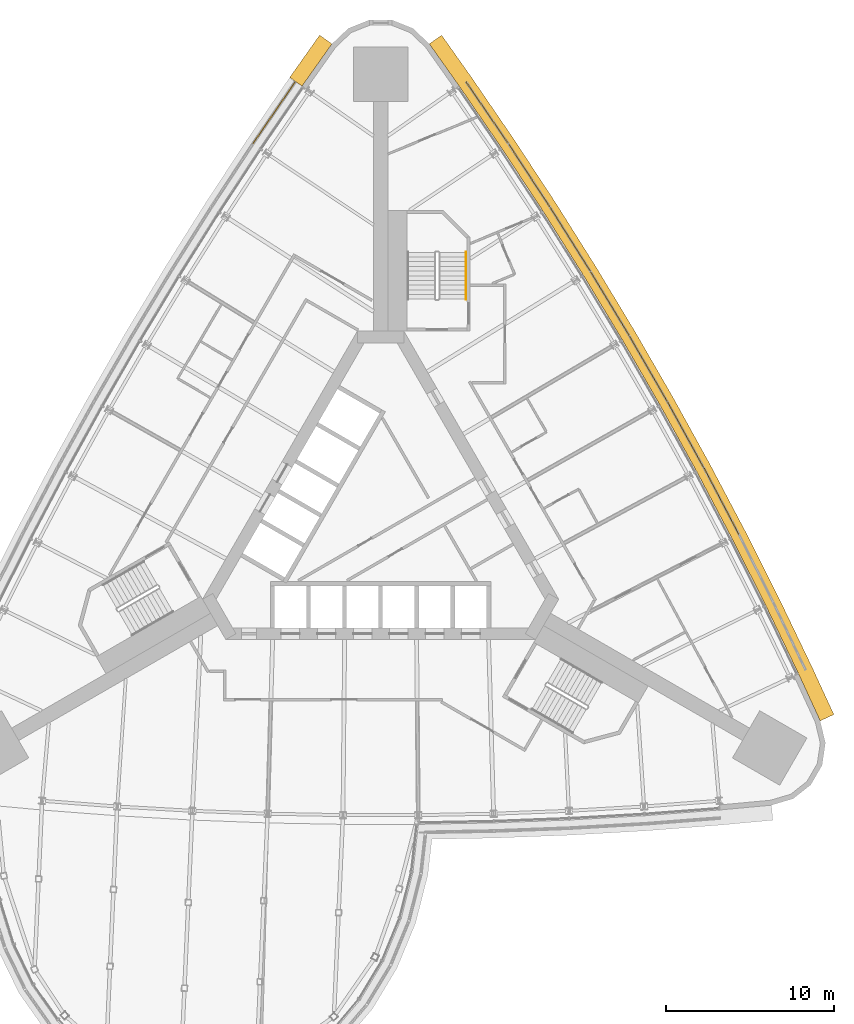
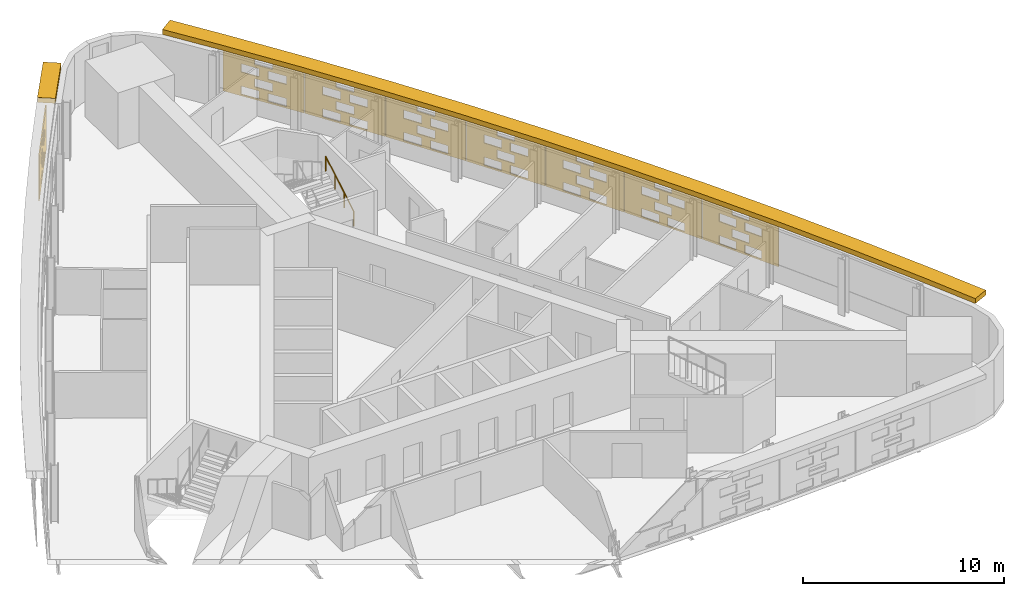
# One storey, part 16 of 16: 10 shading devices, 1 railing.
"""IFC4 building model written with IfcOpenShell, lengths in metres."""

import ifcopenshell
import ifcopenshell.guid

model = None  # the IFC model being written
_history = None  # IfcOwnerHistory: only IFC2X3 demands one
_inside = {}  # id of a spatial element -> (the spatial element, [elements in it])
_under = {}  # id of a project, library or spatial element -> (it, [spatial elements below it])
_declared = {}  # id of a project -> (the project, [libraries it declares])
_typed = {}  # id of a type object -> (the type object, [elements of that type])
_made_of = {}  # id of a material, layer set ... -> (it, [elements and type objects made of it])


def new_model(schema):
    """Start an empty IFC model of exactly this schema.

    Asked for "IFC4X3", IfcOpenShell would pick the latest addendum, in which some entities
    have other attributes; the version numbers below select the first issue.
    IFC2X3 requires an IfcOwnerHistory on every rooted entity: one is made here for all.
    """
    global model, _history
    if schema == "IFC4X3":
        model = ifcopenshell.file(schema_version=(4, 3, 0, 0))
    else:
        model = ifcopenshell.file(schema=schema)
    _inside.clear()
    _under.clear()
    _declared.clear()
    _typed.clear()
    _made_of.clear()
    _history = None
    if model.schema == "IFC2X3":
        org = make("IfcOrganization", Name="unknown")
        user = make(
            "IfcPersonAndOrganization",
            ThePerson=make("IfcPerson", FamilyName="unknown"),
            TheOrganization=org,
        )
        app = make(
            "IfcApplication",
            ApplicationDeveloper=org,
            Version="unknown",
            ApplicationFullName="unknown",
            ApplicationIdentifier="unknown",
        )
        _history = make(
            "IfcOwnerHistory",
            OwningUser=user,
            OwningApplication=app,
            ChangeAction="ADDED",
            CreationDate=0,
        )
    return model


def make(cls, **values):
    """One entity of the class cls with the attributes given. An attribute that is None is left unset."""
    return model.create_entity(
        cls, **{name: value for name, value in values.items() if value is not None}
    )


def rooted(cls, **values):
    """An entity with a GlobalId (a new one), such as an element, a storey or a relation."""
    return make(cls, GlobalId=ifcopenshell.guid.new(), OwnerHistory=_history, **values)


def si_unit(unit_type, name, prefix=None):
    """IfcSIUnit, for example si_unit("LENGTHUNIT", "METRE", prefix="MILLI")."""
    return make("IfcSIUnit", UnitType=unit_type, Prefix=prefix, Name=name)


def assignment(units):
    """IfcUnitAssignment: the units of a project."""
    return None if units is None else make("IfcUnitAssignment", Units=units)


def point(xyz):
    """IfcCartesianPoint."""
    return None if xyz is None else make("IfcCartesianPoint", Coordinates=xyz)


def direction(xyz):
    """IfcDirection."""
    return None if xyz is None else make("IfcDirection", DirectionRatios=xyz)


def frame(location, z_axis=None, x_axis=None):
    """IfcAxis2Placement3D, a coordinate frame: its origin and axes. An axis left out is left unset."""
    return make(
        "IfcAxis2Placement3D",
        Location=point(location),
        Axis=direction(z_axis),
        RefDirection=direction(x_axis),
    )


def frame_2d(location, x_axis=None):
    """IfcAxis2Placement2D, a coordinate frame in the plane: its origin and x axis."""
    return make(
        "IfcAxis2Placement2D", Location=point(location), RefDirection=direction(x_axis)
    )


def origin():
    """The frame at (0, 0, 0) with its axes left unset."""
    return frame((0.0, 0.0, 0.0))


def origin_2d():
    """The frame at (0, 0) in the plane with its x axis left unset."""
    return frame_2d((0.0, 0.0))


def place(relative_to, where):
    """IfcLocalPlacement: puts the frame where relative to a parent placement (None: the world)."""
    return make(
        "IfcLocalPlacement", PlacementRelTo=relative_to, RelativePlacement=where
    )


def context(
    kind, dimensions, precision=None, world=None, true_north=None, identifier=None
):
    """IfcGeometricRepresentationContext, for example the 3D "Model" context."""
    return make(
        "IfcGeometricRepresentationContext",
        ContextIdentifier=identifier,
        ContextType=kind,
        CoordinateSpaceDimension=dimensions,
        Precision=precision,
        WorldCoordinateSystem=world,
        TrueNorth=true_north,
    )


def subcontext(parent, identifier, kind, view, scale=None):
    """IfcGeometricRepresentationSubContext, for example "Body" below "Model"."""
    return make(
        "IfcGeometricRepresentationSubContext",
        ContextIdentifier=identifier,
        ContextType=kind,
        ParentContext=parent,
        TargetScale=scale,
        TargetView=view,
    )


def project(units=None, contexts=None):
    """IfcProject with its units and contexts."""
    return rooted(
        "IfcProject",
        Name="project",
        RepresentationContexts=contexts,
        UnitsInContext=assignment(units),
    )


def spatial(cls, under=None, at=None, **own):
    """A site, building, storey or space (cls), placed at a placement, below another one or the project."""
    s = rooted(cls, ObjectPlacement=at, **own)
    if under is not None:
        _under.setdefault(under.id(), (under, []))[1].append(s)
    return s


def polyline(points):
    """IfcPolyline through the points."""
    return make("IfcPolyline", Points=[point(p) for p in points])


def profile(cls, at=None, kind="AREA", **sizes):
    """A parametric profile (cls). Its sizes go by their IFC names, for example OverallWidth=200.0."""
    return make(cls, ProfileType=kind, Position=at, **sizes)


def circle(**sizes):
    """IfcCircleProfileDef."""
    return profile("IfcCircleProfileDef", **sizes)


def outline(outer, holes=None, kind="AREA"):
    """IfcArbitraryClosedProfileDef: a profile drawn as a closed curve; with holes, ...WithVoids."""
    if holes is None:
        return make("IfcArbitraryClosedProfileDef", ProfileType=kind, OuterCurve=outer)
    return make(
        "IfcArbitraryProfileDefWithVoids",
        ProfileType=kind,
        OuterCurve=outer,
        InnerCurves=holes,
    )


def extrude(swept, where, along, depth):
    """IfcExtrudedAreaSolid: the profile swept, set in the frame where, extruded along a direction by depth."""
    return make(
        "IfcExtrudedAreaSolid",
        SweptArea=swept,
        Position=where,
        ExtrudedDirection=direction(along),
        Depth=depth,
    )


def shape(context_of_items, identifier, shape_type, items):
    """IfcShapeRepresentation: the items that make up one representation, for example the "Body"."""
    return make(
        "IfcShapeRepresentation",
        ContextOfItems=context_of_items,
        RepresentationIdentifier=identifier,
        RepresentationType=shape_type,
        Items=items,
    )


def material(Name=None, Category=None):
    """IfcMaterial."""
    return make("IfcMaterial", Name=Name, Category=Category)


def material_profile(
    of_material, cross_section, Name=None, Category=None, Priority=None
):
    """IfcMaterialProfile: a cross section and its material."""
    return make(
        "IfcMaterialProfile",
        Name=Name,
        Material=of_material,
        Profile=cross_section,
        Priority=Priority,
        Category=Category,
    )


def profile_set(profiles, Name=None, composite=None):
    """IfcMaterialProfileSet."""
    return make(
        "IfcMaterialProfileSet",
        Name=Name,
        MaterialProfiles=profiles,
        CompositeProfile=composite,
    )


def made_of(thing, what):
    """Note that an element or type object is made of a material, layer set ...; save() writes the relation."""
    if what is not None:
        _made_of.setdefault(what.id(), (what, []))[1].append(thing)
    return thing


def type_object(cls, material=None, **own):
    """A type object (cls), such as IfcWallType, which elements share."""
    return made_of(rooted(cls, **own), material)


def element(
    cls,
    number,
    at=None,
    inside=None,
    cuts=None,
    type_object=None,
    material=None,
    context=None,
    identifier="Body",
    shape_type=None,
    held_by="IfcProductDefinitionShape",
    body=None,
    shapes=None,
    **own,
):
    """One element of the class cls, such as IfcWall. Its Tag is "e" and its number.

    at: its placement. inside: the storey or other place that contains it. cuts: it is an
    opening in that element (IfcRelVoidsElement). A single representation is given by context,
    identifier, shape_type and body (its items); several are given by shapes. held_by: the class
    of the entity that holds the representations. save() writes the other relations.
    """
    e = rooted(cls, Tag="e%d" % number, ObjectPlacement=at, **own)
    if body is not None:
        shapes = [shape(context, identifier, shape_type, body)]
    if shapes is not None:
        e.Representation = make(held_by, Representations=shapes)
    if inside is not None:
        _inside.setdefault(inside.id(), (inside, []))[1].append(e)
    if cuts is not None:
        rooted(
            "IfcRelVoidsElement", RelatingBuildingElement=cuts, RelatedOpeningElement=e
        )
    if type_object is not None:
        _typed.setdefault(type_object.id(), (type_object, []))[1].append(e)
    return made_of(e, material)


def aggregate(whole, parts):
    """IfcRelAggregates: a whole, such as a stair, and the parts it consists of."""
    return rooted("IfcRelAggregates", RelatingObject=whole, RelatedObjects=parts)


def save(model, path):
    """Write the relations noted so far, then the file.

    IfcRelAggregates (storeys below a building ...), IfcRelContainedInSpatialStructure (elements
    in a storey), IfcRelDefinesByType, IfcRelAssociatesMaterial and IfcRelDeclares: one each for
    every whole, place, type object, material and project.
    """
    for whole, parts in _under.values():
        aggregate(whole, parts)
    for where, things in _inside.values():
        rooted(
            "IfcRelContainedInSpatialStructure",
            RelatedElements=things,
            RelatingStructure=where,
        )
    for kind, things in _typed.values():
        rooted("IfcRelDefinesByType", RelatedObjects=things, RelatingType=kind)
    for what, things in _made_of.values():
        rooted("IfcRelAssociatesMaterial", RelatedObjects=things, RelatingMaterial=what)
    for by, libraries in _declared.values():
        rooted("IfcRelDeclares", RelatingContext=by, RelatedDefinitions=libraries)
    model.write(path)


model = new_model("IFC4")

# Units and contexts
model_context = context("Model", 3, precision=1e-05, world=origin(), true_north=direction((0.0, 1.0)))
body_context = subcontext(model_context, "Body", "Model", "MODEL_VIEW")
ifc_project = project(units=[si_unit("LENGTHUNIT", "METRE"), si_unit("AREAUNIT", "SQUARE_METRE"), si_unit("VOLUMEUNIT", "CUBIC_METRE"), si_unit("PLANEANGLEUNIT", "RADIAN"), si_unit("MASSUNIT", "GRAM", prefix="KILO")], contexts=[model_context])

# Site, building, storey
site_placement = place(None, origin())
site = spatial("IfcSite", under=ifc_project, at=site_placement, CompositionType="ELEMENT")
building_placement = place(site_placement, origin())
building = spatial("IfcBuilding", under=site, at=building_placement, Name="Noor Cloister Tower", CompositionType="ELEMENT")
storey_placement = place(building_placement, frame((0.0, 0.0, 61.800048828125)))
storey = spatial("IfcBuildingStorey", under=building, at=storey_placement, Name="L15", CompositionType="ELEMENT", Elevation=61.800048828125)

# Shading devices
ifc_material_1 = material(Name="Limestone", Category="masonry")
ifc_material_profile = material_profile(ifc_material_1, outline(polyline([(-2.22998046875, -1.35009765625), (2.22998046875, -1.35009765625), (2.22998046875, 1.35009765625), (-2.22998046875, 1.35009765625), (-2.22998046875, -1.35009765625)]), holes=[polyline([(-1.25, -1.263427734375), (-0.25, -1.263427734375), (-0.25, -0.76171875), (-1.25, -0.76171875), (-1.25, -1.263427734375)]), polyline([(0.25, -1.263427734375), (1.25, -1.263427734375), (1.25, -0.76171875), (0.25, -0.76171875), (0.25, -1.263427734375)]), polyline([(-0.5, -0.58837890625), (0.5, -0.58837890625), (0.5, -0.086669921875), (-0.5, -0.086669921875), (-0.5, -0.58837890625)]), polyline([(-1.25, 0.086669921875), (-0.25, 0.086669921875), (-0.25, 0.58837890625), (-1.25, 0.58837890625), (-1.25, 0.086669921875)]), polyline([(0.25, 0.086669921875), (1.25, 0.086669921875), (1.25, 0.58837890625), (0.25, 0.58837890625), (0.25, 0.086669921875)]), polyline([(-0.5, 0.76171875), (0.5, 0.76171875), (0.5, 1.263427734375), (-0.5, 1.263427734375), (-0.5, 0.76171875)])]), Name="Woven screen 25 percent open")
ifc_profile_set = profile_set([ifc_material_profile], Name="Limestone")
shading_device_type_1 = type_object("IfcShadingDeviceType", Name="SCREEN woven limestone 25 percent open", PredefinedType="USERDEFINED", material=ifc_profile_set)
for number, where, z_axis, x_axis, name in (
    (1, (-6.325439453125, 24.455078125, 1.849853515625), (-0.825107815773, 0.564975302426, 0.0), (-0.564975302426, -0.825107815773, 0.0), "SCREEN L15 1"),
    (2, (20.287841796875, 1.30419921875, 1.849853515625), (0.886149575817, 0.463399319464, 0.0), (-0.463399319464, 0.886149575817, 0.0), "SCREEN L15 3"),
):
    element("IfcShadingDevice", number, at=place(storey_placement, frame(where, z_axis=z_axis, x_axis=x_axis)), inside=storey, type_object=shading_device_type_1, Name=name, ObjectType="SCREEN", PredefinedType="USERDEFINED", context=body_context, shape_type="SweptSolid", body=[
        extrude(outline(polyline([(-2.22998046875, -1.35009765625), (2.22998046875, -1.35009765625), (2.22998046875, 1.35009765625), (-2.22998046875, 1.35009765625), (-2.22998046875, -1.35009765625)]), holes=[polyline([(-1.25, -1.263427734375), (-0.25, -1.263427734375), (-0.25, -0.76171875), (-1.25, -0.76171875), (-1.25, -1.263427734375)]), polyline([(0.25, -1.263427734375), (1.25, -1.263427734375), (1.25, -0.76171875), (0.25, -0.76171875), (0.25, -1.263427734375)]), polyline([(-0.5, -0.58837890625), (0.5, -0.58837890625), (0.5, -0.086669921875), (-0.5, -0.086669921875), (-0.5, -0.58837890625)]), polyline([(-1.25, 0.086669921875), (-0.25, 0.086669921875), (-0.25, 0.58837890625), (-1.25, 0.58837890625), (-1.25, 0.086669921875)]), polyline([(0.25, 0.086669921875), (1.25, 0.086669921875), (1.25, 0.58837890625), (0.25, 0.58837890625), (0.25, 0.086669921875)]), polyline([(-0.5, 0.76171875), (0.5, 0.76171875), (0.5, 1.263427734375), (-0.5, 1.263427734375), (-0.5, 0.76171875)])]), origin(), (0.0, 0.0, 1.0), 0.06005859375),
    ])
shading_device_1_placement = place(storey_placement, frame((18.146484375, 5.271484375, 1.849853515625), z_axis=(0.876645997325, 0.481135942718, 0.0), x_axis=(-0.481135942718, 0.876645997325, 0.0)))
element("IfcShadingDevice", 3, at=shading_device_1_placement, inside=storey, type_object=shading_device_type_1, Name="SCREEN L15 4", ObjectType="SCREEN", PredefinedType="USERDEFINED", context=body_context, shape_type="SweptSolid", body=[
    extrude(outline(polyline([(-2.22998046875, -1.35009765625), (2.22998046875, -1.35009765625), (2.22998046875, 1.35009765625), (-2.22998046875, 1.35009765625), (-2.22998046875, -1.35009765625)]), holes=[polyline([(-1.25, -1.263427734375), (-0.25, -1.263427734375), (-0.25, -0.76171875), (-1.25, -0.76171875), (-1.25, -1.263427734375)]), polyline([(0.25, -1.263427734375), (1.25, -1.263427734375), (1.25, -0.76171875), (0.25, -0.76171875), (0.25, -1.263427734375)]), polyline([(-0.5, -0.58837890625), (0.5, -0.58837890625), (0.5, -0.086669921875), (-0.5, -0.086669921875), (-0.5, -0.58837890625)]), polyline([(-1.25, 0.086669921875), (-0.25, 0.086669921875), (-0.25, 0.58837890625), (-1.25, 0.58837890625), (-1.25, 0.086669921875)]), polyline([(0.25, 0.086669921875), (1.25, 0.086669921875), (1.25, 0.58837890625), (0.25, 0.58837890625), (0.25, 0.086669921875)]), polyline([(-0.5, 0.76171875), (0.5, 0.76171875), (0.5, 1.263427734375), (-0.5, 1.263427734375), (-0.5, 0.76171875)])]), origin(), (0.0, 0.0, 1.0), 0.059814453125),
])
shading_device_2_placement = place(storey_placement, frame((15.9296875, 9.197021484375, 1.849853515625), z_axis=(0.865982457891, 0.500074377092, 0.0), x_axis=(-0.500074377092, 0.865982457891, 0.0)))
element("IfcShadingDevice", 4, at=shading_device_2_placement, inside=storey, type_object=shading_device_type_1, Name="SCREEN L15 5", ObjectType="SCREEN", PredefinedType="USERDEFINED", context=body_context, shape_type="SweptSolid", body=[
    extrude(outline(polyline([(-2.22998046875, -1.35009765625), (2.22998046875, -1.35009765625), (2.22998046875, 1.35009765625), (-2.22998046875, 1.35009765625), (-2.22998046875, -1.35009765625)]), holes=[polyline([(-1.25, -1.263427734375), (-0.25, -1.263427734375), (-0.25, -0.76171875), (-1.25, -0.76171875), (-1.25, -1.263427734375)]), polyline([(0.25, -1.263427734375), (1.25, -1.263427734375), (1.25, -0.76171875), (0.25, -0.76171875), (0.25, -1.263427734375)]), polyline([(-0.5, -0.58837890625), (0.5, -0.58837890625), (0.5, -0.086669921875), (-0.5, -0.086669921875), (-0.5, -0.58837890625)]), polyline([(-1.25, 0.086669921875), (-0.25, 0.086669921875), (-0.25, 0.58837890625), (-1.25, 0.58837890625), (-1.25, 0.086669921875)]), polyline([(0.25, 0.086669921875), (1.25, 0.086669921875), (1.25, 0.58837890625), (0.25, 0.58837890625), (0.25, 0.086669921875)]), polyline([(-0.5, 0.76171875), (0.5, 0.76171875), (0.5, 1.263427734375), (-0.5, 1.263427734375), (-0.5, 0.76171875)])]), origin(), (0.0, 0.0, 1.0), 0.06005859375),
])
shading_device_3_placement = place(storey_placement, frame((13.638427734375, 13.07958984375, 1.849853515625), z_axis=(0.855690023312, 0.517488728384, 0.0), x_axis=(-0.517488728384, 0.855690023312, 0.0)))
element("IfcShadingDevice", 5, at=shading_device_3_placement, inside=storey, type_object=shading_device_type_1, Name="SCREEN L15 6", ObjectType="SCREEN", PredefinedType="USERDEFINED", context=body_context, shape_type="SweptSolid", body=[
    extrude(outline(polyline([(-2.22998046875, -1.35009765625), (2.22998046875, -1.35009765625), (2.22998046875, 1.35009765625), (-2.22998046875, 1.35009765625), (-2.22998046875, -1.35009765625)]), holes=[polyline([(-1.25, -1.263427734375), (-0.25, -1.263427734375), (-0.25, -0.76171875), (-1.25, -0.76171875), (-1.25, -1.263427734375)]), polyline([(0.25, -1.263427734375), (1.25, -1.263427734375), (1.25, -0.76171875), (0.25, -0.76171875), (0.25, -1.263427734375)]), polyline([(-0.5, -0.58837890625), (0.5, -0.58837890625), (0.5, -0.086669921875), (-0.5, -0.086669921875), (-0.5, -0.58837890625)]), polyline([(-1.25, 0.086669921875), (-0.25, 0.086669921875), (-0.25, 0.58837890625), (-1.25, 0.58837890625), (-1.25, 0.086669921875)]), polyline([(0.25, 0.086669921875), (1.25, 0.086669921875), (1.25, 0.58837890625), (0.25, 0.58837890625), (0.25, 0.086669921875)]), polyline([(-0.5, 0.76171875), (0.5, 0.76171875), (0.5, 1.263427734375), (-0.5, 1.263427734375), (-0.5, 0.76171875)])]), origin(), (0.0, 0.0, 1.0), 0.059814453125),
])
shading_device_4_placement = place(storey_placement, frame((11.2734375, 16.917724609375, 1.849853515625), z_axis=(0.846164898331, 0.53292116193, 0.0), x_axis=(-0.53292116193, 0.846164898331, 0.0)))
element("IfcShadingDevice", 6, at=shading_device_4_placement, inside=storey, type_object=shading_device_type_1, Name="SCREEN L15 7", ObjectType="SCREEN", PredefinedType="USERDEFINED", context=body_context, shape_type="SweptSolid", body=[
    extrude(outline(polyline([(-2.22998046875, -1.35009765625), (2.22998046875, -1.35009765625), (2.22998046875, 1.35009765625), (-2.22998046875, 1.35009765625), (-2.22998046875, -1.35009765625)]), holes=[polyline([(-1.25, -1.263427734375), (-0.25, -1.263427734375), (-0.25, -0.76171875), (-1.25, -0.76171875), (-1.25, -1.263427734375)]), polyline([(0.25, -1.263427734375), (1.25, -1.263427734375), (1.25, -0.76171875), (0.25, -0.76171875), (0.25, -1.263427734375)]), polyline([(-0.5, -0.58837890625), (0.5, -0.58837890625), (0.5, -0.086669921875), (-0.5, -0.086669921875), (-0.5, -0.58837890625)]), polyline([(-1.25, 0.086669921875), (-0.25, 0.086669921875), (-0.25, 0.58837890625), (-1.25, 0.58837890625), (-1.25, 0.086669921875)]), polyline([(0.25, 0.086669921875), (1.25, 0.086669921875), (1.25, 0.58837890625), (0.25, 0.58837890625), (0.25, 0.086669921875)]), polyline([(-0.5, 0.76171875), (0.5, 0.76171875), (0.5, 1.263427734375), (-0.5, 1.263427734375), (-0.5, 0.76171875)])]), origin(), (0.0, 0.0, 1.0), 0.06005859375),
])
shading_device_5_placement = place(storey_placement, frame((8.83544921875, 20.710205078125, 1.849853515625), z_axis=(0.837041537521, 0.547139346477, 0.0), x_axis=(-0.547139346477, 0.837041537521, 0.0)))
element("IfcShadingDevice", 7, at=shading_device_5_placement, inside=storey, type_object=shading_device_type_1, Name="SCREEN L15 8", ObjectType="SCREEN", PredefinedType="USERDEFINED", context=body_context, shape_type="SweptSolid", body=[
    extrude(outline(polyline([(-2.22998046875, -1.35009765625), (2.22998046875, -1.35009765625), (2.22998046875, 1.35009765625), (-2.22998046875, 1.35009765625), (-2.22998046875, -1.35009765625)]), holes=[polyline([(-1.25, -1.263427734375), (-0.25, -1.263427734375), (-0.25, -0.76171875), (-1.25, -0.76171875), (-1.25, -1.263427734375)]), polyline([(0.25, -1.263427734375), (1.25, -1.263427734375), (1.25, -0.76171875), (0.25, -0.76171875), (0.25, -1.263427734375)]), polyline([(-0.5, -0.58837890625), (0.5, -0.58837890625), (0.5, -0.086669921875), (-0.5, -0.086669921875), (-0.5, -0.58837890625)]), polyline([(-1.25, 0.086669921875), (-0.25, 0.086669921875), (-0.25, 0.58837890625), (-1.25, 0.58837890625), (-1.25, 0.086669921875)]), polyline([(0.25, 0.086669921875), (1.25, 0.086669921875), (1.25, 0.58837890625), (0.25, 0.58837890625), (0.25, 0.086669921875)]), polyline([(-0.5, 0.76171875), (0.5, 0.76171875), (0.5, 1.263427734375), (-0.5, 1.263427734375), (-0.5, 0.76171875)])]), origin(), (0.0, 0.0, 1.0), 0.059814453125),
])
shading_device_6_placement = place(storey_placement, frame((6.325439453125, 24.455078125, 1.849853515625), z_axis=(0.825107815773, 0.564975302426, 0.0), x_axis=(-0.564975302426, 0.825107815773, 0.0)))
element("IfcShadingDevice", 8, at=shading_device_6_placement, inside=storey, type_object=shading_device_type_1, Name="SCREEN L15 9", ObjectType="SCREEN", PredefinedType="USERDEFINED", context=body_context, shape_type="SweptSolid", body=[
    extrude(outline(polyline([(-2.22998046875, -1.35009765625), (2.22998046875, -1.35009765625), (2.22998046875, 1.35009765625), (-2.22998046875, 1.35009765625), (-2.22998046875, -1.35009765625)]), holes=[polyline([(-1.25, -1.263427734375), (-0.25, -1.263427734375), (-0.25, -0.76171875), (-1.25, -0.76171875), (-1.25, -1.263427734375)]), polyline([(0.25, -1.263427734375), (1.25, -1.263427734375), (1.25, -0.76171875), (0.25, -0.76171875), (0.25, -1.263427734375)]), polyline([(-0.5, -0.58837890625), (0.5, -0.58837890625), (0.5, -0.086669921875), (-0.5, -0.086669921875), (-0.5, -0.58837890625)]), polyline([(-1.25, 0.086669921875), (-0.25, 0.086669921875), (-0.25, 0.58837890625), (-1.25, 0.58837890625), (-1.25, 0.086669921875)]), polyline([(0.25, 0.086669921875), (1.25, 0.086669921875), (1.25, 0.58837890625), (0.25, 0.58837890625), (0.25, 0.086669921875)]), polyline([(-0.5, 0.76171875), (0.5, 0.76171875), (0.5, 1.263427734375), (-0.5, 1.263427734375), (-0.5, 0.76171875)])]), origin(), (0.0, 0.0, 1.0), 0.06005859375),
])
ifc_material_2 = material(Name="Limestone", Category="masonry")
shading_device_type_2 = type_object("IfcShadingDeviceType", Name="SUNSHADE limestone band 900", PredefinedType="USERDEFINED", material=ifc_material_2)
shading_device_7_placement = place(storey_placement, frame((0.0, 0.0, 3.300048828125)))
element("IfcShadingDevice", 9, at=shading_device_7_placement, inside=storey, type_object=shading_device_type_2, Name="SUNSHADE L15 3", ObjectType="SUNSHADE", PredefinedType="USERDEFINED", context=body_context, shape_type="SweptSolid", body=[
    extrude(outline(polyline([(27.015869140625, -11.399658203125), (25.723388671875, -8.590087890625), (23.7705078125, -4.5185546875), (21.73974609375, -0.483642578125), (19.632080078125, 3.51171875), (17.44873046875, 7.466064453125), (15.190185546875, 11.3779296875), (12.857421875, 15.24609375), (10.450927734375, 19.06884765625), (7.97216796875, 22.84521484375), (5.42236328125, 26.572265625), (3.635498046875, 29.09619140625), (2.90087890625, 28.576171875), (4.683837890625, 26.05810546875), (7.224609375, 22.343994140625), (9.69384765625, 18.582275390625), (12.091064453125, 14.77392578125), (14.4150390625, 10.920654296875), (16.6650390625, 7.0234375), (18.840087890625, 3.084228515625), (20.939697265625, -0.89599609375), (22.962890625, -4.91552734375), (24.908935546875, -8.972900390625), (26.1982421875, -11.77587890625), (27.015869140625, -11.399658203125)])), origin(), (0.0, 0.0, 1.0), 0.2998046875),
])
shading_device_8_placement = place(storey_placement, frame((0.0, 0.0, 3.300048828125)))
element("IfcShadingDevice", 10, at=shading_device_8_placement, inside=storey, type_object=shading_device_type_2, Name="SUNSHADE L15 4", ObjectType="SUNSHADE", PredefinedType="USERDEFINED", context=body_context, shape_type="SweptSolid", body=[
    extrude(outline(polyline([(-3.635498046875, 29.09619140625), (-5.418212890625, 26.578125), (-4.683837890625, 26.05810546875), (-2.90087890625, 28.576171875), (-3.635498046875, 29.09619140625)])), origin(), (0.0, 0.0, 1.0), 0.2998046875),
])

# Railing
ifc_material_3 = material(Name="Stainless steel", Category="steel")
railing_type = type_object("IfcRailingType", Name="Stair handrail 900", PredefinedType="HANDRAIL", material=ifc_material_3)
railing_placement = place(storey_placement, frame((5.085693359375, 13.3564453125, 0.16357421875)))
element("IfcRailing", 11, at=railing_placement, inside=storey, type_object=railing_type, Name="Stair handrail ST1 L15 1", PredefinedType="HANDRAIL", context=body_context, shape_type="SweptSolid", body=[
    extrude(circle(Radius=0.02392578125, at=origin_2d()), frame((0.0, 0.0, 0.8759765625), z_axis=(0.0, 0.863360870873, 0.504586966384), x_axis=(-1.0, 0.0, 0.0)), (0.0, 0.0, 1.0), 3.2431640625),
    extrude(circle(Radius=0.02099609375, at=origin_2d()), origin(), (0.0, 0.0, 1.0), 0.851806640625),
    extrude(circle(Radius=0.02099609375, at=origin_2d()), frame((0.0, 0.933349609375, 0.54541015625)), (0.0, 0.0, 1.0), 0.851806640625),
    extrude(circle(Radius=0.02099609375, at=origin_2d()), frame((0.0, 1.86669921875, 1.091064453125)), (0.0, 0.0, 1.0), 0.851806640625),
    extrude(circle(Radius=0.02099609375, at=origin_2d()), frame((0.0, 2.800048828125, 1.636474609375)), (0.0, 0.0, 1.0), 0.851806640625),
])

save(model, "model.ifc")
